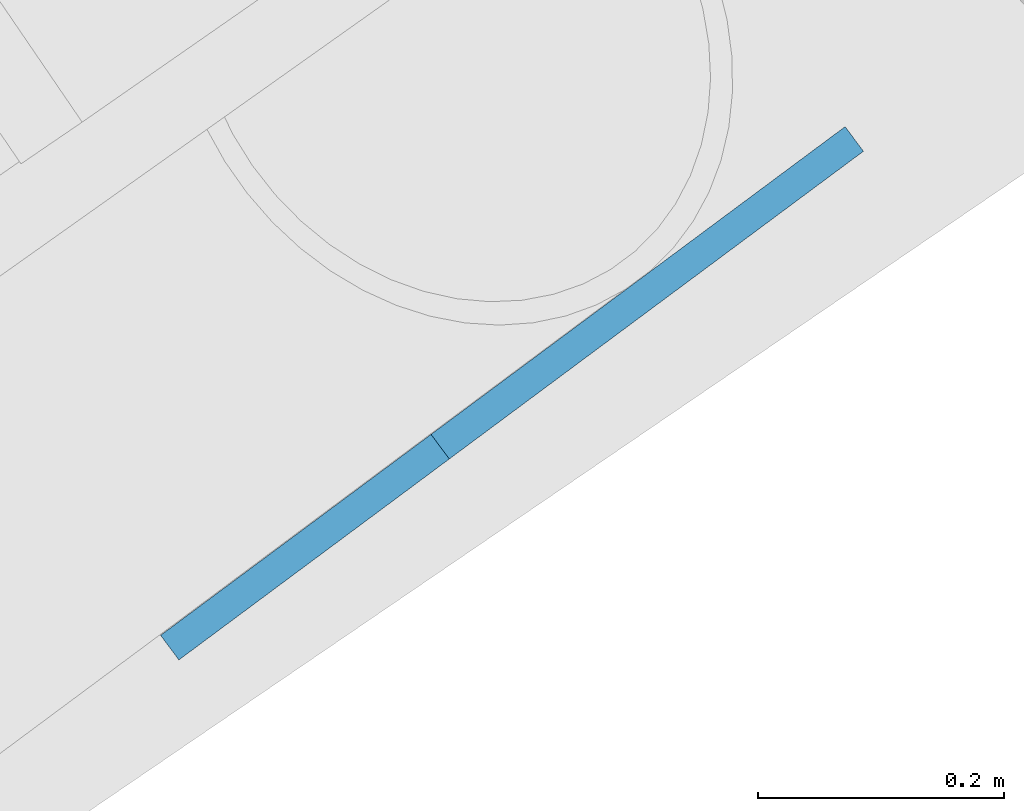
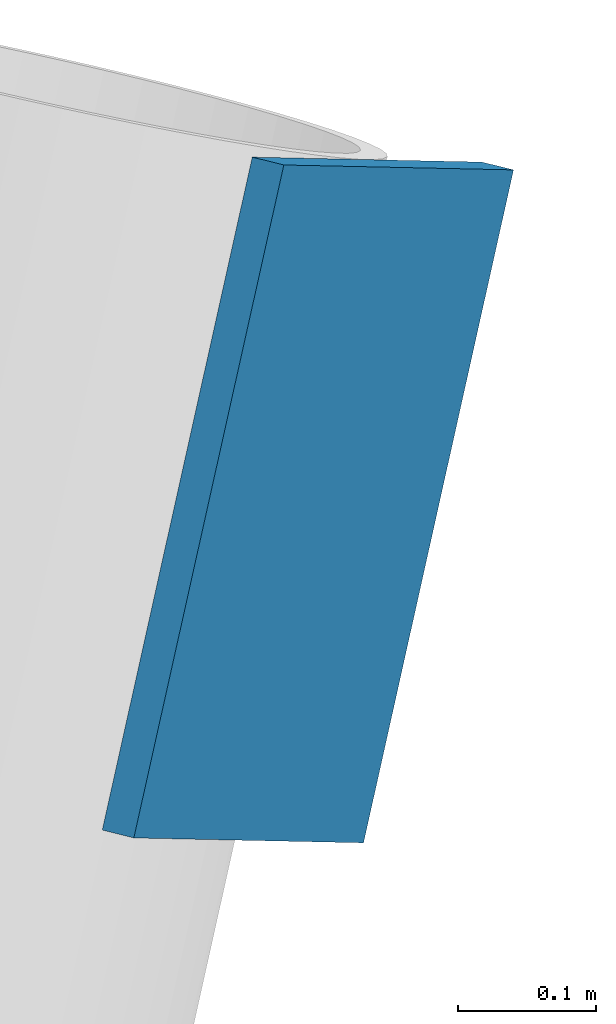
# One storey, part 13 of 21: 1 discrete accessory.
"""IFC4 building model written with IfcOpenShell, lengths in metres."""

import ifcopenshell
import ifcopenshell.guid

model = None  # the IFC model being written
_history = None  # IfcOwnerHistory: only IFC2X3 demands one
_inside = {}  # id of a spatial element -> (the spatial element, [elements in it])
_under = {}  # id of a project, library or spatial element -> (it, [spatial elements below it])
_declared = {}  # id of a project -> (the project, [libraries it declares])
_typed = {}  # id of a type object -> (the type object, [elements of that type])
_made_of = {}  # id of a material, layer set ... -> (it, [elements and type objects made of it])


def new_model(schema):
    """Start an empty IFC model of exactly this schema.

    Asked for "IFC4X3", IfcOpenShell would pick the latest addendum, in which some entities
    have other attributes; the version numbers below select the first issue.
    IFC2X3 requires an IfcOwnerHistory on every rooted entity: one is made here for all.
    """
    global model, _history
    if schema == "IFC4X3":
        model = ifcopenshell.file(schema_version=(4, 3, 0, 0))
    else:
        model = ifcopenshell.file(schema=schema)
    _inside.clear()
    _under.clear()
    _declared.clear()
    _typed.clear()
    _made_of.clear()
    _history = None
    if model.schema == "IFC2X3":
        org = make("IfcOrganization", Name="unknown")
        user = make(
            "IfcPersonAndOrganization",
            ThePerson=make("IfcPerson", FamilyName="unknown"),
            TheOrganization=org,
        )
        app = make(
            "IfcApplication",
            ApplicationDeveloper=org,
            Version="unknown",
            ApplicationFullName="unknown",
            ApplicationIdentifier="unknown",
        )
        _history = make(
            "IfcOwnerHistory",
            OwningUser=user,
            OwningApplication=app,
            ChangeAction="ADDED",
            CreationDate=0,
        )
    return model


def make(cls, **values):
    """One entity of the class cls with the attributes given. An attribute that is None is left unset."""
    return model.create_entity(
        cls, **{name: value for name, value in values.items() if value is not None}
    )


def rooted(cls, **values):
    """An entity with a GlobalId (a new one), such as an element, a storey or a relation."""
    return make(cls, GlobalId=ifcopenshell.guid.new(), OwnerHistory=_history, **values)


def si_unit(unit_type, name, prefix=None):
    """IfcSIUnit, for example si_unit("LENGTHUNIT", "METRE", prefix="MILLI")."""
    return make("IfcSIUnit", UnitType=unit_type, Prefix=prefix, Name=name)


def assignment(units):
    """IfcUnitAssignment: the units of a project."""
    return None if units is None else make("IfcUnitAssignment", Units=units)


def point(xyz):
    """IfcCartesianPoint."""
    return None if xyz is None else make("IfcCartesianPoint", Coordinates=xyz)


def direction(xyz):
    """IfcDirection."""
    return None if xyz is None else make("IfcDirection", DirectionRatios=xyz)


def frame(location, z_axis=None, x_axis=None):
    """IfcAxis2Placement3D, a coordinate frame: its origin and axes. An axis left out is left unset."""
    return make(
        "IfcAxis2Placement3D",
        Location=point(location),
        Axis=direction(z_axis),
        RefDirection=direction(x_axis),
    )


def frame_2d(location, x_axis=None):
    """IfcAxis2Placement2D, a coordinate frame in the plane: its origin and x axis."""
    return make(
        "IfcAxis2Placement2D", Location=point(location), RefDirection=direction(x_axis)
    )


def origin():
    """The frame at (0, 0, 0) with its axes left unset."""
    return frame((0.0, 0.0, 0.0))


def origin_2d():
    """The frame at (0, 0) in the plane with its x axis left unset."""
    return frame_2d((0.0, 0.0))


def place(relative_to, where):
    """IfcLocalPlacement: puts the frame where relative to a parent placement (None: the world)."""
    return make(
        "IfcLocalPlacement", PlacementRelTo=relative_to, RelativePlacement=where
    )


def context(
    kind, dimensions, precision=None, world=None, true_north=None, identifier=None
):
    """IfcGeometricRepresentationContext, for example the 3D "Model" context."""
    return make(
        "IfcGeometricRepresentationContext",
        ContextIdentifier=identifier,
        ContextType=kind,
        CoordinateSpaceDimension=dimensions,
        Precision=precision,
        WorldCoordinateSystem=world,
        TrueNorth=true_north,
    )


def subcontext(parent, identifier, kind, view, scale=None):
    """IfcGeometricRepresentationSubContext, for example "Body" below "Model"."""
    return make(
        "IfcGeometricRepresentationSubContext",
        ContextIdentifier=identifier,
        ContextType=kind,
        ParentContext=parent,
        TargetScale=scale,
        TargetView=view,
    )


def project(units=None, contexts=None):
    """IfcProject with its units and contexts."""
    return rooted(
        "IfcProject",
        Name="project",
        RepresentationContexts=contexts,
        UnitsInContext=assignment(units),
    )


def spatial(cls, under=None, at=None, **own):
    """A site, building, storey or space (cls), placed at a placement, below another one or the project."""
    s = rooted(cls, ObjectPlacement=at, **own)
    if under is not None:
        _under.setdefault(under.id(), (under, []))[1].append(s)
    return s


def profile(cls, at=None, kind="AREA", **sizes):
    """A parametric profile (cls). Its sizes go by their IFC names, for example OverallWidth=200.0."""
    return make(cls, ProfileType=kind, Position=at, **sizes)


def rectangle(**sizes):
    """IfcRectangleProfileDef."""
    return profile("IfcRectangleProfileDef", **sizes)


def extrude(swept, where, along, depth):
    """IfcExtrudedAreaSolid: the profile swept, set in the frame where, extruded along a direction by depth."""
    return make(
        "IfcExtrudedAreaSolid",
        SweptArea=swept,
        Position=where,
        ExtrudedDirection=direction(along),
        Depth=depth,
    )


def shape(context_of_items, identifier, shape_type, items):
    """IfcShapeRepresentation: the items that make up one representation, for example the "Body"."""
    return make(
        "IfcShapeRepresentation",
        ContextOfItems=context_of_items,
        RepresentationIdentifier=identifier,
        RepresentationType=shape_type,
        Items=items,
    )


def material(Name=None, Category=None):
    """IfcMaterial."""
    return make("IfcMaterial", Name=Name, Category=Category)


def material_profile(
    of_material, cross_section, Name=None, Category=None, Priority=None
):
    """IfcMaterialProfile: a cross section and its material."""
    return make(
        "IfcMaterialProfile",
        Name=Name,
        Material=of_material,
        Profile=cross_section,
        Priority=Priority,
        Category=Category,
    )


def profile_set(profiles, Name=None, composite=None):
    """IfcMaterialProfileSet."""
    return make(
        "IfcMaterialProfileSet",
        Name=Name,
        MaterialProfiles=profiles,
        CompositeProfile=composite,
    )


def made_of(thing, what):
    """Note that an element or type object is made of a material, layer set ...; save() writes the relation."""
    if what is not None:
        _made_of.setdefault(what.id(), (what, []))[1].append(thing)
    return thing


def type_object(cls, material=None, **own):
    """A type object (cls), such as IfcWallType, which elements share."""
    return made_of(rooted(cls, **own), material)


def element(
    cls,
    number,
    at=None,
    inside=None,
    cuts=None,
    type_object=None,
    material=None,
    context=None,
    identifier="Body",
    shape_type=None,
    held_by="IfcProductDefinitionShape",
    body=None,
    shapes=None,
    **own,
):
    """One element of the class cls, such as IfcWall. Its Tag is "e" and its number.

    at: its placement. inside: the storey or other place that contains it. cuts: it is an
    opening in that element (IfcRelVoidsElement). A single representation is given by context,
    identifier, shape_type and body (its items); several are given by shapes. held_by: the class
    of the entity that holds the representations. save() writes the other relations.
    """
    e = rooted(cls, Tag="e%d" % number, ObjectPlacement=at, **own)
    if body is not None:
        shapes = [shape(context, identifier, shape_type, body)]
    if shapes is not None:
        e.Representation = make(held_by, Representations=shapes)
    if inside is not None:
        _inside.setdefault(inside.id(), (inside, []))[1].append(e)
    if cuts is not None:
        rooted(
            "IfcRelVoidsElement", RelatingBuildingElement=cuts, RelatedOpeningElement=e
        )
    if type_object is not None:
        _typed.setdefault(type_object.id(), (type_object, []))[1].append(e)
    return made_of(e, material)


def aggregate(whole, parts):
    """IfcRelAggregates: a whole, such as a stair, and the parts it consists of."""
    return rooted("IfcRelAggregates", RelatingObject=whole, RelatedObjects=parts)


def save(model, path):
    """Write the relations noted so far, then the file.

    IfcRelAggregates (storeys below a building ...), IfcRelContainedInSpatialStructure (elements
    in a storey), IfcRelDefinesByType, IfcRelAssociatesMaterial and IfcRelDeclares: one each for
    every whole, place, type object, material and project.
    """
    for whole, parts in _under.values():
        aggregate(whole, parts)
    for where, things in _inside.values():
        rooted(
            "IfcRelContainedInSpatialStructure",
            RelatedElements=things,
            RelatingStructure=where,
        )
    for kind, things in _typed.values():
        rooted("IfcRelDefinesByType", RelatedObjects=things, RelatingType=kind)
    for what, things in _made_of.values():
        rooted("IfcRelAssociatesMaterial", RelatedObjects=things, RelatingMaterial=what)
    for by, libraries in _declared.values():
        rooted("IfcRelDeclares", RelatingContext=by, RelatedDefinitions=libraries)
    model.write(path)


model = new_model("IFC4")

# Units and contexts
model_context = context("Model", 3, precision=1e-05, world=origin(), true_north=direction((0.0, 1.0)))
body_context = subcontext(model_context, "Body", "Model", "MODEL_VIEW")
ifc_project = project(units=[si_unit("LENGTHUNIT", "METRE"), si_unit("AREAUNIT", "SQUARE_METRE"), si_unit("VOLUMEUNIT", "CUBIC_METRE"), si_unit("PLANEANGLEUNIT", "RADIAN"), si_unit("MASSUNIT", "GRAM", prefix="KILO")], contexts=[model_context])

# Site, building, storey
site_placement = place(None, origin())
site = spatial("IfcSite", under=ifc_project, at=site_placement, CompositionType="ELEMENT")
building_placement = place(site_placement, origin())
building = spatial("IfcBuilding", under=site, at=building_placement, Name="Tarsis Ring Headquarters", CompositionType="ELEMENT")
storey_placement = place(building_placement, frame((0.0, 0.0, 331.39990234375)))
storey = spatial("IfcBuildingStorey", under=building, at=storey_placement, Name="L78", CompositionType="ELEMENT", Elevation=331.39990234375)

# Discrete accessory
ifc_material = material(Name="Structural steel S355", Category="steel")
ifc_material_profile = material_profile(ifc_material, rectangle(XDim=0.02490234375, YDim=0.5, at=origin_2d()), Name="PL 25x500")
ifc_profile_set = profile_set([ifc_material_profile], Name="Structural steel S355")
discrete_accessory_type = type_object("IfcDiscreteAccessoryType", Name="Gusset plate Exo brace 25", PredefinedType="BRACKET", material=ifc_profile_set)
discrete_accessory_placement = place(storey_placement, frame((-11.751220703125, 26.28076171875, 7.800048828125), z_axis=(-0.438894426285, -0.326119551455, -0.837268010099), x_axis=(0.596422628152, -0.802670572918, 0.0)))
element("IfcDiscreteAccessory", 1, at=discrete_accessory_placement, inside=storey, type_object=discrete_accessory_type, Name="Gusset plate GP5", PredefinedType="BRACKET", context=body_context, shape_type="SweptSolid", body=[
    extrude(rectangle(XDim=0.02490234375, YDim=0.5, at=origin_2d()), origin(), (0.0, 0.0, 1.0), 0.5),
])

save(model, "model.ifc")
